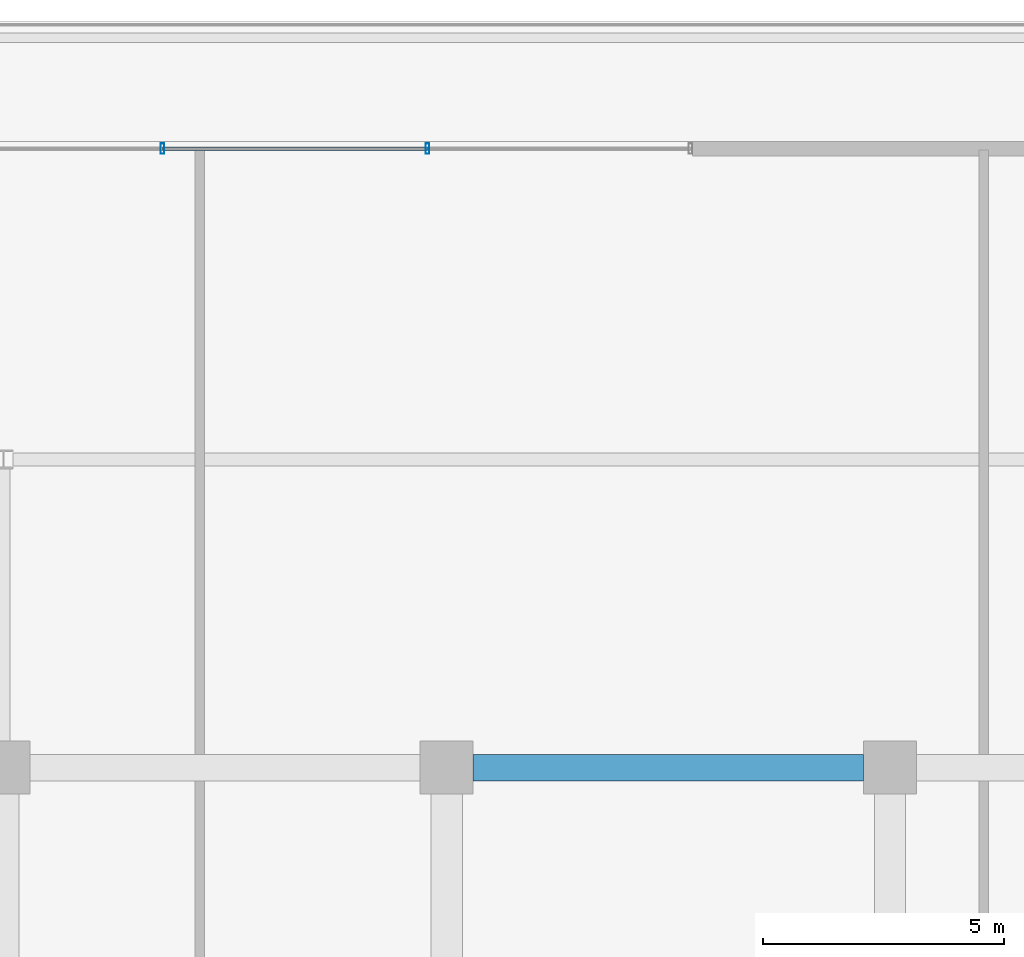
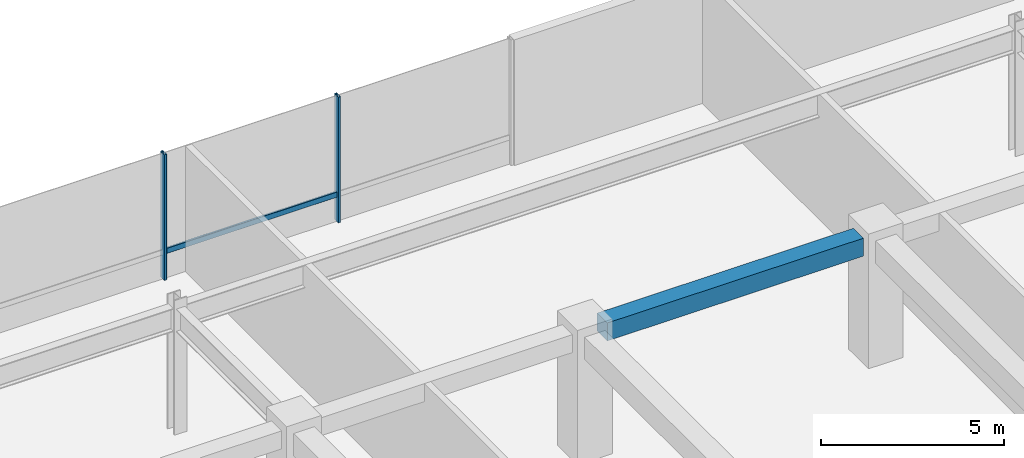
# One storey, part 13 of 43: 3 members, 1 beam, 1 element without a shape of its own.
"""IFC4 building model written with IfcOpenShell, lengths in metres."""

from ifc_helpers import new_model, si_unit, direction, frame, origin, origin_2d, place, context, subcontext, project, spatial, rectangle, hollow_rectangle, extrude, material, layer, layer_set, material_profile, profile_set, type_object, element, aggregate, save


model = new_model("IFC4")

# Units and contexts
model_context = context("Model", 3, precision=1e-05, world=origin(), true_north=direction((0.0, 1.0)))
body_context = subcontext(model_context, "Body", "Model", "MODEL_VIEW")
ifc_project = project(units=[si_unit("LENGTHUNIT", "METRE"), si_unit("AREAUNIT", "SQUARE_METRE"), si_unit("VOLUMEUNIT", "CUBIC_METRE"), si_unit("PLANEANGLEUNIT", "RADIAN"), si_unit("MASSUNIT", "GRAM", prefix="KILO")], contexts=[model_context])

# Site, building, storey
site_placement = place(None, origin())
site = spatial("IfcSite", under=ifc_project, at=site_placement, CompositionType="ELEMENT")
building_placement = place(site_placement, origin())
building = spatial("IfcBuilding", under=site, at=building_placement, Name="Korimba Cascade Residences", CompositionType="ELEMENT")
storey_placement = place(building_placement, frame((0.0, 0.0, 10.0)))
storey = spatial("IfcBuildingStorey", under=building, at=storey_placement, Name="L02", CompositionType="ELEMENT", Elevation=10.0)

# Beam
ifc_material_1 = material(Name="Concrete C50/60", Category="concrete")
ifc_material_profile_1 = material_profile(ifc_material_1, rectangle(XDim=0.550048828125, YDim=0.60009765625, at=origin_2d()), Name="Concrete C50/60")
ifc_profile_set_1 = profile_set([ifc_material_profile_1], Name="Concrete C50/60")
beam_type = type_object("IfcBeamType", Name="BM-RC-B600", PredefinedType="BEAM", material=ifc_profile_set_1)
beam_placement = place(storey_placement, frame((103.449951171875, 91.199951171875, 3.89990234375), z_axis=(1.0, 0.0, 0.0), x_axis=(0.0, 1.0, 0.0)))
element("IfcBeam", 1, at=beam_placement, inside=storey, type_object=beam_type, Name="L02 T1 E-W Girder Y4 Bay 6", PredefinedType="BEAM", context=body_context, shape_type="SweptSolid", body=[
    extrude(rectangle(XDim=0.550048828125, YDim=0.60009765625, at=origin_2d()), origin(), (0.0, 0.0, 1.0), 8.10009765625),
])

# Curtain wall, members
ifc_material_2 = material(Name="Anodised Aluminium Curtain Wall Framing", Category="aluminium")
ifc_layer = layer(ifc_material_2, 0.179931640625)
ifc_layer_set = layer_set([ifc_layer], Name="Anodised Aluminium Curtain Wall Framing")
curtain_wall_type = type_object("IfcCurtainWallType", Name="CW-POD-SYS1", PredefinedType="NOTDEFINED", material=ifc_layer_set)
curtain_wall_placement = place(storey_placement, origin())
curtain_wall = element("IfcCurtainWall", 2, at=curtain_wall_placement, inside=storey, type_object=curtain_wall_type, Name="L02 Curtain Wall CW-L02-POD-N", PredefinedType="NOTDEFINED")
ifc_material_3 = material(Name="Anodised Aluminium Mullion", Category="aluminium")
ifc_material_profile_2 = material_profile(ifc_material_3, hollow_rectangle(XDim=0.080078125, YDim=0.219970703125, WallThickness=0.00634765625, InnerFilletRadius=0.00634765625, OuterFilletRadius=0.0126953125, at=origin_2d()), Name="Anodised Aluminium Mullion")
ifc_profile_set_2 = profile_set([ifc_material_profile_2], Name="Anodised Aluminium Mullion")
member_type_1 = type_object("IfcMemberType", Name="CWM-MUL-220", PredefinedType="MULLION", material=ifc_profile_set_2)
member_1_placement = place(storey_placement, frame((102.5, 104.050048828125, 0.0), z_axis=(0.0, 0.0, 1.0), x_axis=(-1.0, 0.0, 0.0)))
member_1 = element("IfcMember", 3, at=member_1_placement, type_object=member_type_1, Name="CW-L02-POD-N Mullion 2", PredefinedType="MULLION", context=body_context, shape_type="SweptSolid", body=[
    extrude(hollow_rectangle(XDim=0.080078125, YDim=0.219970703125, WallThickness=0.00634765625, InnerFilletRadius=0.00634765625, OuterFilletRadius=0.0126953125, at=origin_2d()), origin(), (0.0, 0.0, 1.0), 4.199951171875),
])
member_2_placement = place(storey_placement, frame((97.0, 104.050048828125, 0.0), z_axis=(0.0, 0.0, 1.0), x_axis=(-1.0, 0.0, 0.0)))
member_2 = element("IfcMember", 4, at=member_2_placement, type_object=member_type_1, Name="CW-L02-POD-N Mullion 3", PredefinedType="MULLION", context=body_context, shape_type="SweptSolid", body=[
    extrude(hollow_rectangle(XDim=0.080078125, YDim=0.219970703125, WallThickness=0.00634765625, InnerFilletRadius=0.00634765625, OuterFilletRadius=0.0126953125, at=origin_2d()), origin(), (0.0, 0.0, 1.0), 4.199951171875),
])
ifc_material_4 = material(Name="Anodised Aluminium Transom", Category="aluminium")
ifc_material_profile_3 = material_profile(ifc_material_4, hollow_rectangle(XDim=0.070068359375, YDim=0.179931640625, WallThickness=0.0048828125, InnerFilletRadius=0.0048828125, OuterFilletRadius=0.010009765625, at=origin_2d()), Name="Anodised Aluminium Transom")
ifc_profile_set_3 = profile_set([ifc_material_profile_3], Name="Anodised Aluminium Transom")
member_type_2 = type_object("IfcMemberType", Name="CWM-TRN-150", PredefinedType="USERDEFINED", material=ifc_profile_set_3)
member_3_placement = place(storey_placement, frame((102.5, 104.050048828125, 0.89990234375), z_axis=(-1.0, 0.0, 0.0), x_axis=(0.0, -1.0, 0.0)))
member_3 = element("IfcMember", 5, at=member_3_placement, type_object=member_type_2, Name="CW-L02-POD-N Transom 2", ObjectType="TRANSOM", PredefinedType="USERDEFINED", context=body_context, shape_type="SweptSolid", body=[
    extrude(hollow_rectangle(XDim=0.070068359375, YDim=0.179931640625, WallThickness=0.0048828125, InnerFilletRadius=0.0048828125, OuterFilletRadius=0.010009765625, at=origin_2d()), origin(), (0.0, 0.0, 1.0), 5.5),
])
aggregate(curtain_wall, [member_1, member_2, member_3])

save(model, "model.ifc")
